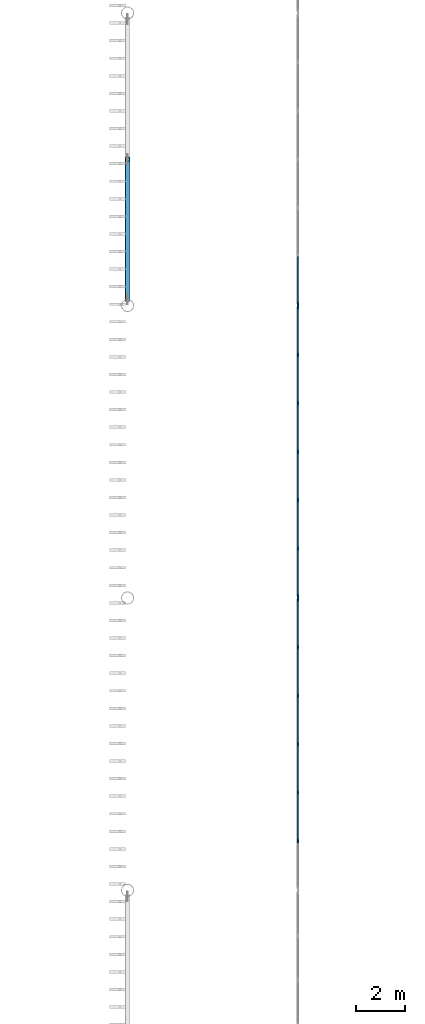
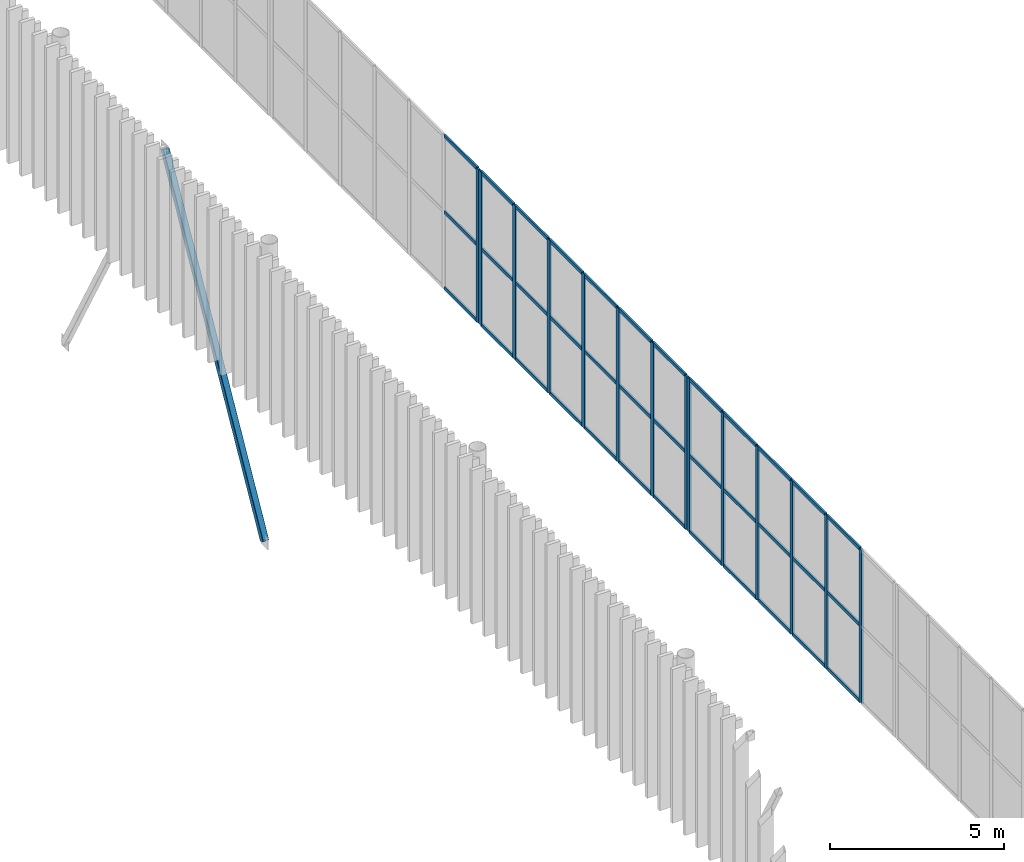
# One storey, part 37 of 170: 51 members, 3 elements without a shape of their own.
"""IFC4 building model written with IfcOpenShell, lengths in metres."""

from ifc_helpers import new_model, si_unit, direction, frame, origin, origin_2d, place, context, subcontext, project, spatial, rectangle, hollow_rectangle, extrude, material, layer, layer_set, material_profile, profile_set, type_object, element, aggregate, save


model = new_model("IFC4")

# Units and contexts
model_context = context("Model", 3, precision=1e-05, world=origin(), true_north=direction((0.0, 1.0)))
body_context = subcontext(model_context, "Body", "Model", "MODEL_VIEW")
ifc_project = project(units=[si_unit("LENGTHUNIT", "METRE"), si_unit("AREAUNIT", "SQUARE_METRE"), si_unit("VOLUMEUNIT", "CUBIC_METRE"), si_unit("PLANEANGLEUNIT", "RADIAN"), si_unit("MASSUNIT", "GRAM", prefix="KILO")], contexts=[model_context])

# Site, building, storey
site_placement = place(None, origin())
site = spatial("IfcSite", under=ifc_project, at=site_placement, CompositionType="ELEMENT")
building_placement = place(site_placement, origin())
building = spatial("IfcBuilding", under=site, at=building_placement, Name="Ravi Spectrum Wholesale Market", CompositionType="ELEMENT")
storey_placement = place(building_placement, frame((0.0, 0.0, 5.39990234375)))
storey = spatial("IfcBuildingStorey", under=building, at=storey_placement, Name="L01", CompositionType="ELEMENT", Elevation=5.39990234375)

# Curtain wall, members
ifc_material_1 = material(Name="Aluminium 6063-T6", Category="aluminium")
ifc_layer = layer(ifc_material_1, 0.14990234375)
ifc_layer_set = layer_set([ifc_layer], Name="Aluminium 6063-T6")
curtain_wall_type = type_object("IfcCurtainWallType", Name="Curtain wall 150", PredefinedType="NOTDEFINED", material=ifc_layer_set)
curtain_wall_1_placement = place(storey_placement, origin())
curtain_wall_1 = element("IfcCurtainWall", 1, at=curtain_wall_1_placement, inside=storey, type_object=curtain_wall_type, Name="H1-CW-L01-002", PredefinedType="NOTDEFINED")
ifc_material_2 = material(Name="Aluminium 6063-T6", Category="aluminium")
ifc_material_profile_1 = material_profile(ifc_material_2, rectangle(XDim=0.06005859375, YDim=0.159912109375, at=origin_2d()))
ifc_profile_set_1 = profile_set([ifc_material_profile_1], Name="Aluminium 6063-T6")
member_type_1 = type_object("IfcMemberType", Name="Mullion 60 x 160", PredefinedType="MULLION", material=ifc_profile_set_1)
member_1_placement = place(storey_placement, frame((37.0, 44.026611328125, 0.0), z_axis=(0.0, 0.0, 1.0), x_axis=(-1.0, 0.0, 0.0)))
member_1 = element("IfcMember", 2, at=member_1_placement, type_object=member_type_1, Name="H1-CW-L01-002 mullion 2", PredefinedType="MULLION", context=body_context, shape_type="SweptSolid", body=[
    extrude(rectangle(XDim=0.06005859375, YDim=0.159912109375, at=origin_2d()), origin(), (0.0, 0.0, 1.0), 5.400146484375),
])
member_2_placement = place(storey_placement, frame((37.0, 46.013427734375, 0.0), z_axis=(0.0, 0.0, 1.0), x_axis=(-1.0, 0.0, 0.0)))
member_2 = element("IfcMember", 3, at=member_2_placement, type_object=member_type_1, Name="H1-CW-L01-002 mullion 3", PredefinedType="MULLION", context=body_context, shape_type="SweptSolid", body=[
    extrude(rectangle(XDim=0.06005859375, YDim=0.159912109375, at=origin_2d()), origin(), (0.0, 0.0, 1.0), 5.400146484375),
])
member_3_placement = place(storey_placement, frame((37.0, 48.0, 0.0), z_axis=(0.0, 0.0, 1.0), x_axis=(-1.0, 0.0, 0.0)))
member_3 = element("IfcMember", 4, at=member_3_placement, type_object=member_type_1, Name="H1-CW-L01-002 mullion 4", PredefinedType="MULLION", context=body_context, shape_type="SweptSolid", body=[
    extrude(rectangle(XDim=0.06005859375, YDim=0.159912109375, at=origin_2d()), origin(), (0.0, 0.0, 1.0), 5.400146484375),
])
member_4_placement = place(storey_placement, frame((37.0, 49.986572265625, 0.0), z_axis=(0.0, 0.0, 1.0), x_axis=(-1.0, 0.0, 0.0)))
member_4 = element("IfcMember", 5, at=member_4_placement, type_object=member_type_1, Name="H1-CW-L01-002 mullion 5", PredefinedType="MULLION", context=body_context, shape_type="SweptSolid", body=[
    extrude(rectangle(XDim=0.06005859375, YDim=0.159912109375, at=origin_2d()), origin(), (0.0, 0.0, 1.0), 5.400146484375),
])
member_5_placement = place(storey_placement, frame((37.0, 51.973388671875, 0.0), z_axis=(0.0, 0.0, 1.0), x_axis=(-1.0, 0.0, 0.0)))
member_5 = element("IfcMember", 6, at=member_5_placement, type_object=member_type_1, Name="H1-CW-L01-002 mullion 6", PredefinedType="MULLION", context=body_context, shape_type="SweptSolid", body=[
    extrude(rectangle(XDim=0.06005859375, YDim=0.159912109375, at=origin_2d()), origin(), (0.0, 0.0, 1.0), 5.400146484375),
])
member_6_placement = place(storey_placement, frame((37.0, 53.929931640625, 0.0), z_axis=(0.0, 0.0, 1.0), x_axis=(-1.0, 0.0, 0.0)))
member_6 = element("IfcMember", 7, at=member_6_placement, type_object=member_type_1, Name="H1-CW-L01-002 mullion 7", PredefinedType="MULLION", context=body_context, shape_type="SweptSolid", body=[
    extrude(rectangle(XDim=0.06005859375, YDim=0.159912109375, at=origin_2d()), origin(), (0.0, 0.0, 1.0), 5.400146484375),
])

curtain_wall_2_placement = place(storey_placement, origin())
curtain_wall_2 = element("IfcCurtainWall", 8, at=curtain_wall_2_placement, inside=storey, type_object=curtain_wall_type, Name="H1-CW-L01-003", PredefinedType="NOTDEFINED")
member_7_placement = place(storey_placement, frame((37.0, 54.070068359375, 0.0), z_axis=(0.0, 0.0, 1.0), x_axis=(-1.0, 0.0, 0.0)))
member_7 = element("IfcMember", 9, at=member_7_placement, type_object=member_type_1, Name="H1-CW-L01-003 mullion 1", PredefinedType="MULLION", context=body_context, shape_type="SweptSolid", body=[
    extrude(rectangle(XDim=0.06005859375, YDim=0.159912109375, at=origin_2d()), origin(), (0.0, 0.0, 1.0), 5.400146484375),
])
member_8_placement = place(storey_placement, frame((37.0, 56.026611328125, 0.0), z_axis=(0.0, 0.0, 1.0), x_axis=(-1.0, 0.0, 0.0)))
member_8 = element("IfcMember", 10, at=member_8_placement, type_object=member_type_1, Name="H1-CW-L01-003 mullion 2", PredefinedType="MULLION", context=body_context, shape_type="SweptSolid", body=[
    extrude(rectangle(XDim=0.06005859375, YDim=0.159912109375, at=origin_2d()), origin(), (0.0, 0.0, 1.0), 5.400146484375),
])
member_9_placement = place(storey_placement, frame((37.0, 58.013427734375, 0.0), z_axis=(0.0, 0.0, 1.0), x_axis=(-1.0, 0.0, 0.0)))
member_9 = element("IfcMember", 11, at=member_9_placement, type_object=member_type_1, Name="H1-CW-L01-003 mullion 3", PredefinedType="MULLION", context=body_context, shape_type="SweptSolid", body=[
    extrude(rectangle(XDim=0.06005859375, YDim=0.159912109375, at=origin_2d()), origin(), (0.0, 0.0, 1.0), 5.400146484375),
])
member_10_placement = place(storey_placement, frame((37.0, 60.0, 0.0), z_axis=(0.0, 0.0, 1.0), x_axis=(-1.0, 0.0, 0.0)))
member_10 = element("IfcMember", 12, at=member_10_placement, type_object=member_type_1, Name="H1-CW-L01-003 mullion 4", PredefinedType="MULLION", context=body_context, shape_type="SweptSolid", body=[
    extrude(rectangle(XDim=0.06005859375, YDim=0.159912109375, at=origin_2d()), origin(), (0.0, 0.0, 1.0), 5.400146484375),
])
member_11_placement = place(storey_placement, frame((37.0, 61.986572265625, 0.0), z_axis=(0.0, 0.0, 1.0), x_axis=(-1.0, 0.0, 0.0)))
member_11 = element("IfcMember", 13, at=member_11_placement, type_object=member_type_1, Name="H1-CW-L01-003 mullion 5", PredefinedType="MULLION", context=body_context, shape_type="SweptSolid", body=[
    extrude(rectangle(XDim=0.06005859375, YDim=0.159912109375, at=origin_2d()), origin(), (0.0, 0.0, 1.0), 5.400146484375),
])
member_12_placement = place(storey_placement, frame((37.0, 63.973388671875, 0.0), z_axis=(0.0, 0.0, 1.0), x_axis=(-1.0, 0.0, 0.0)))
member_12 = element("IfcMember", 14, at=member_12_placement, type_object=member_type_1, Name="H1-CW-L01-003 mullion 6", PredefinedType="MULLION", context=body_context, shape_type="SweptSolid", body=[
    extrude(rectangle(XDim=0.06005859375, YDim=0.159912109375, at=origin_2d()), origin(), (0.0, 0.0, 1.0), 5.400146484375),
])
member_13_placement = place(storey_placement, frame((37.0, 65.929931640625, 0.0), z_axis=(0.0, 0.0, 1.0), x_axis=(-1.0, 0.0, 0.0)))
member_13 = element("IfcMember", 15, at=member_13_placement, type_object=member_type_1, Name="H1-CW-L01-003 mullion 7", PredefinedType="MULLION", context=body_context, shape_type="SweptSolid", body=[
    extrude(rectangle(XDim=0.06005859375, YDim=0.159912109375, at=origin_2d()), origin(), (0.0, 0.0, 1.0), 5.400146484375),
])

# Curtain wall, member
curtain_wall_3_placement = place(storey_placement, origin())
curtain_wall_3 = element("IfcCurtainWall", 16, at=curtain_wall_3_placement, inside=storey, type_object=curtain_wall_type, Name="H1-CW-L01-004", PredefinedType="NOTDEFINED")
member_14_placement = place(storey_placement, frame((37.0, 66.070068359375, 0.0), z_axis=(0.0, 0.0, 1.0), x_axis=(-1.0, 0.0, 0.0)))
member_14 = element("IfcMember", 17, at=member_14_placement, type_object=member_type_1, Name="H1-CW-L01-004 mullion 1", PredefinedType="MULLION", context=body_context, shape_type="SweptSolid", body=[
    extrude(rectangle(XDim=0.06005859375, YDim=0.159912109375, at=origin_2d()), origin(), (0.0, 0.0, 1.0), 5.400146484375),
])

# Member
ifc_material_3 = material(Name="Steel S355", Category="steel")
ifc_material_profile_2 = material_profile(ifc_material_3, hollow_rectangle(XDim=0.199951171875, YDim=0.199951171875, WallThickness=0.008056640625, InnerFilletRadius=0.008056640625, OuterFilletRadius=0.01611328125, at=origin_2d()))
ifc_profile_set_2 = profile_set([ifc_material_profile_2], Name="Steel S355")
member_type_2 = type_object("IfcMemberType", Name="SHS 200x200x8 brace", PredefinedType="BRACE", material=ifc_profile_set_2)
member_15_placement = place(storey_placement, frame((30.0, 66.25390625, -5.350830078125), z_axis=(0.0, 0.487151805571, 0.873317306784), x_axis=(-1.0, 0.0, 0.0)))
element("IfcMember", 18, at=member_15_placement, inside=storey, type_object=member_type_2, Name="H1-MB-L01-003", PredefinedType="BRACE", context=body_context, shape_type="SweptSolid", body=[
    extrude(hollow_rectangle(XDim=0.199951171875, YDim=0.199951171875, WallThickness=0.008056640625, InnerFilletRadius=0.008056640625, OuterFilletRadius=0.01611328125, at=origin_2d()), origin(), (0.0, 0.0, 1.0), 11.795166015625),
])

ifc_material_4 = material(Name="Aluminium 6063-T6", Category="aluminium")
ifc_material_profile_3 = material_profile(ifc_material_4, rectangle(XDim=0.06005859375, YDim=0.1201171875, at=origin_2d()))
ifc_profile_set_3 = profile_set([ifc_material_profile_3], Name="Aluminium 6063-T6")
member_type_3 = type_object("IfcMemberType", Name="Transom 60 x 120", PredefinedType="USERDEFINED", material=ifc_profile_set_3)
member_16_placement = place(storey_placement, frame((37.0, 44.056640625, 0.030029296875), z_axis=(0.0, 1.0, 0.0), x_axis=(-1.0, 0.0, 0.0)))
member_16 = element("IfcMember", 19, at=member_16_placement, type_object=member_type_3, Name="H1-CW-L01-002 transom 2.1", ObjectType="TRANSOM", PredefinedType="USERDEFINED", context=body_context, shape_type="SweptSolid", body=[
    extrude(rectangle(XDim=0.06005859375, YDim=0.1201171875, at=origin_2d()), origin(), (0.0, 0.0, 1.0), 1.9267578125),
])

member_17_placement = place(storey_placement, frame((37.0, 44.056640625, 2.7001953125), z_axis=(0.0, 1.0, 0.0), x_axis=(-1.0, 0.0, 0.0)))
member_17 = element("IfcMember", 20, at=member_17_placement, type_object=member_type_3, Name="H1-CW-L01-002 transom 2.2", ObjectType="TRANSOM", PredefinedType="USERDEFINED", context=body_context, shape_type="SweptSolid", body=[
    extrude(rectangle(XDim=0.06005859375, YDim=0.1201171875, at=origin_2d()), origin(), (0.0, 0.0, 1.0), 1.9267578125),
])

member_18_placement = place(storey_placement, frame((37.0, 44.056640625, 5.3701171875), z_axis=(0.0, 1.0, 0.0), x_axis=(-1.0, 0.0, 0.0)))
member_18 = element("IfcMember", 21, at=member_18_placement, type_object=member_type_3, Name="H1-CW-L01-002 transom 2.3", ObjectType="TRANSOM", PredefinedType="USERDEFINED", context=body_context, shape_type="SweptSolid", body=[
    extrude(rectangle(XDim=0.06005859375, YDim=0.1201171875, at=origin_2d()), origin(), (0.0, 0.0, 1.0), 1.9267578125),
])

member_19_placement = place(storey_placement, frame((37.0, 46.043212890625, 0.030029296875), z_axis=(0.0, 1.0, 0.0), x_axis=(-1.0, 0.0, 0.0)))
member_19 = element("IfcMember", 22, at=member_19_placement, type_object=member_type_3, Name="H1-CW-L01-002 transom 3.1", ObjectType="TRANSOM", PredefinedType="USERDEFINED", context=body_context, shape_type="SweptSolid", body=[
    extrude(rectangle(XDim=0.06005859375, YDim=0.1201171875, at=origin_2d()), origin(), (0.0, 0.0, 1.0), 1.9267578125),
])

member_20_placement = place(storey_placement, frame((37.0, 46.043212890625, 2.7001953125), z_axis=(0.0, 1.0, 0.0), x_axis=(-1.0, 0.0, 0.0)))
member_20 = element("IfcMember", 23, at=member_20_placement, type_object=member_type_3, Name="H1-CW-L01-002 transom 3.2", ObjectType="TRANSOM", PredefinedType="USERDEFINED", context=body_context, shape_type="SweptSolid", body=[
    extrude(rectangle(XDim=0.06005859375, YDim=0.1201171875, at=origin_2d()), origin(), (0.0, 0.0, 1.0), 1.9267578125),
])

member_21_placement = place(storey_placement, frame((37.0, 46.043212890625, 5.3701171875), z_axis=(0.0, 1.0, 0.0), x_axis=(-1.0, 0.0, 0.0)))
member_21 = element("IfcMember", 24, at=member_21_placement, type_object=member_type_3, Name="H1-CW-L01-002 transom 3.3", ObjectType="TRANSOM", PredefinedType="USERDEFINED", context=body_context, shape_type="SweptSolid", body=[
    extrude(rectangle(XDim=0.06005859375, YDim=0.1201171875, at=origin_2d()), origin(), (0.0, 0.0, 1.0), 1.9267578125),
])

member_22_placement = place(storey_placement, frame((37.0, 48.030029296875, 0.030029296875), z_axis=(0.0, 1.0, 0.0), x_axis=(-1.0, 0.0, 0.0)))
member_22 = element("IfcMember", 25, at=member_22_placement, type_object=member_type_3, Name="H1-CW-L01-002 transom 4.1", ObjectType="TRANSOM", PredefinedType="USERDEFINED", context=body_context, shape_type="SweptSolid", body=[
    extrude(rectangle(XDim=0.06005859375, YDim=0.1201171875, at=origin_2d()), origin(), (0.0, 0.0, 1.0), 1.9267578125),
])

member_23_placement = place(storey_placement, frame((37.0, 48.030029296875, 2.7001953125), z_axis=(0.0, 1.0, 0.0), x_axis=(-1.0, 0.0, 0.0)))
member_23 = element("IfcMember", 26, at=member_23_placement, type_object=member_type_3, Name="H1-CW-L01-002 transom 4.2", ObjectType="TRANSOM", PredefinedType="USERDEFINED", context=body_context, shape_type="SweptSolid", body=[
    extrude(rectangle(XDim=0.06005859375, YDim=0.1201171875, at=origin_2d()), origin(), (0.0, 0.0, 1.0), 1.9267578125),
])

member_24_placement = place(storey_placement, frame((37.0, 48.030029296875, 5.3701171875), z_axis=(0.0, 1.0, 0.0), x_axis=(-1.0, 0.0, 0.0)))
member_24 = element("IfcMember", 27, at=member_24_placement, type_object=member_type_3, Name="H1-CW-L01-002 transom 4.3", ObjectType="TRANSOM", PredefinedType="USERDEFINED", context=body_context, shape_type="SweptSolid", body=[
    extrude(rectangle(XDim=0.06005859375, YDim=0.1201171875, at=origin_2d()), origin(), (0.0, 0.0, 1.0), 1.9267578125),
])

member_25_placement = place(storey_placement, frame((37.0, 50.0166015625, 0.030029296875), z_axis=(0.0, 1.0, 0.0), x_axis=(-1.0, 0.0, 0.0)))
member_25 = element("IfcMember", 28, at=member_25_placement, type_object=member_type_3, Name="H1-CW-L01-002 transom 5.1", ObjectType="TRANSOM", PredefinedType="USERDEFINED", context=body_context, shape_type="SweptSolid", body=[
    extrude(rectangle(XDim=0.06005859375, YDim=0.1201171875, at=origin_2d()), origin(), (0.0, 0.0, 1.0), 1.9267578125),
])

member_26_placement = place(storey_placement, frame((37.0, 50.0166015625, 2.7001953125), z_axis=(0.0, 1.0, 0.0), x_axis=(-1.0, 0.0, 0.0)))
member_26 = element("IfcMember", 29, at=member_26_placement, type_object=member_type_3, Name="H1-CW-L01-002 transom 5.2", ObjectType="TRANSOM", PredefinedType="USERDEFINED", context=body_context, shape_type="SweptSolid", body=[
    extrude(rectangle(XDim=0.06005859375, YDim=0.1201171875, at=origin_2d()), origin(), (0.0, 0.0, 1.0), 1.9267578125),
])

member_27_placement = place(storey_placement, frame((37.0, 50.0166015625, 5.3701171875), z_axis=(0.0, 1.0, 0.0), x_axis=(-1.0, 0.0, 0.0)))
member_27 = element("IfcMember", 30, at=member_27_placement, type_object=member_type_3, Name="H1-CW-L01-002 transom 5.3", ObjectType="TRANSOM", PredefinedType="USERDEFINED", context=body_context, shape_type="SweptSolid", body=[
    extrude(rectangle(XDim=0.06005859375, YDim=0.1201171875, at=origin_2d()), origin(), (0.0, 0.0, 1.0), 1.9267578125),
])

member_28_placement = place(storey_placement, frame((37.0, 52.00341796875, 0.030029296875), z_axis=(0.0, 1.0, 0.0), x_axis=(-1.0, 0.0, 0.0)))
member_28 = element("IfcMember", 31, at=member_28_placement, type_object=member_type_3, Name="H1-CW-L01-002 transom 6.1", ObjectType="TRANSOM", PredefinedType="USERDEFINED", context=body_context, shape_type="SweptSolid", body=[
    extrude(rectangle(XDim=0.06005859375, YDim=0.1201171875, at=origin_2d()), origin(), (0.0, 0.0, 1.0), 1.896484375),
])

member_29_placement = place(storey_placement, frame((37.0, 52.00341796875, 2.7001953125), z_axis=(0.0, 1.0, 0.0), x_axis=(-1.0, 0.0, 0.0)))
member_29 = element("IfcMember", 32, at=member_29_placement, type_object=member_type_3, Name="H1-CW-L01-002 transom 6.2", ObjectType="TRANSOM", PredefinedType="USERDEFINED", context=body_context, shape_type="SweptSolid", body=[
    extrude(rectangle(XDim=0.06005859375, YDim=0.1201171875, at=origin_2d()), origin(), (0.0, 0.0, 1.0), 1.896484375),
])

member_30_placement = place(storey_placement, frame((37.0, 52.00341796875, 5.3701171875), z_axis=(0.0, 1.0, 0.0), x_axis=(-1.0, 0.0, 0.0)))
member_30 = element("IfcMember", 33, at=member_30_placement, type_object=member_type_3, Name="H1-CW-L01-002 transom 6.3", ObjectType="TRANSOM", PredefinedType="USERDEFINED", context=body_context, shape_type="SweptSolid", body=[
    extrude(rectangle(XDim=0.06005859375, YDim=0.1201171875, at=origin_2d()), origin(), (0.0, 0.0, 1.0), 1.896484375),
])

aggregate(curtain_wall_1, [member_1, member_2, member_3, member_4, member_5, member_6, member_16, member_17, member_18, member_19, member_20, member_21, member_22, member_23, member_24, member_25, member_26, member_27, member_28, member_29, member_30])

member_31_placement = place(storey_placement, frame((37.0, 54.10009765625, 0.030029296875), z_axis=(0.0, 1.0, 0.0), x_axis=(-1.0, 0.0, 0.0)))
member_31 = element("IfcMember", 34, at=member_31_placement, type_object=member_type_3, Name="H1-CW-L01-003 transom 1.1", ObjectType="TRANSOM", PredefinedType="USERDEFINED", context=body_context, shape_type="SweptSolid", body=[
    extrude(rectangle(XDim=0.06005859375, YDim=0.1201171875, at=origin_2d()), origin(), (0.0, 0.0, 1.0), 1.896484375),
])

member_32_placement = place(storey_placement, frame((37.0, 54.10009765625, 2.7001953125), z_axis=(0.0, 1.0, 0.0), x_axis=(-1.0, 0.0, 0.0)))
member_32 = element("IfcMember", 35, at=member_32_placement, type_object=member_type_3, Name="H1-CW-L01-003 transom 1.2", ObjectType="TRANSOM", PredefinedType="USERDEFINED", context=body_context, shape_type="SweptSolid", body=[
    extrude(rectangle(XDim=0.06005859375, YDim=0.1201171875, at=origin_2d()), origin(), (0.0, 0.0, 1.0), 1.896484375),
])

member_33_placement = place(storey_placement, frame((37.0, 54.10009765625, 5.3701171875), z_axis=(0.0, 1.0, 0.0), x_axis=(-1.0, 0.0, 0.0)))
member_33 = element("IfcMember", 36, at=member_33_placement, type_object=member_type_3, Name="H1-CW-L01-003 transom 1.3", ObjectType="TRANSOM", PredefinedType="USERDEFINED", context=body_context, shape_type="SweptSolid", body=[
    extrude(rectangle(XDim=0.06005859375, YDim=0.1201171875, at=origin_2d()), origin(), (0.0, 0.0, 1.0), 1.896484375),
])

member_34_placement = place(storey_placement, frame((37.0, 56.056640625, 0.030029296875), z_axis=(0.0, 1.0, 0.0), x_axis=(-1.0, 0.0, 0.0)))
member_34 = element("IfcMember", 37, at=member_34_placement, type_object=member_type_3, Name="H1-CW-L01-003 transom 2.1", ObjectType="TRANSOM", PredefinedType="USERDEFINED", context=body_context, shape_type="SweptSolid", body=[
    extrude(rectangle(XDim=0.06005859375, YDim=0.1201171875, at=origin_2d()), origin(), (0.0, 0.0, 1.0), 1.9267578125),
])

member_35_placement = place(storey_placement, frame((37.0, 56.056640625, 2.7001953125), z_axis=(0.0, 1.0, 0.0), x_axis=(-1.0, 0.0, 0.0)))
member_35 = element("IfcMember", 38, at=member_35_placement, type_object=member_type_3, Name="H1-CW-L01-003 transom 2.2", ObjectType="TRANSOM", PredefinedType="USERDEFINED", context=body_context, shape_type="SweptSolid", body=[
    extrude(rectangle(XDim=0.06005859375, YDim=0.1201171875, at=origin_2d()), origin(), (0.0, 0.0, 1.0), 1.9267578125),
])

member_36_placement = place(storey_placement, frame((37.0, 56.056640625, 5.3701171875), z_axis=(0.0, 1.0, 0.0), x_axis=(-1.0, 0.0, 0.0)))
member_36 = element("IfcMember", 39, at=member_36_placement, type_object=member_type_3, Name="H1-CW-L01-003 transom 2.3", ObjectType="TRANSOM", PredefinedType="USERDEFINED", context=body_context, shape_type="SweptSolid", body=[
    extrude(rectangle(XDim=0.06005859375, YDim=0.1201171875, at=origin_2d()), origin(), (0.0, 0.0, 1.0), 1.9267578125),
])

member_37_placement = place(storey_placement, frame((37.0, 58.043212890625, 0.030029296875), z_axis=(0.0, 1.0, 0.0), x_axis=(-1.0, 0.0, 0.0)))
member_37 = element("IfcMember", 40, at=member_37_placement, type_object=member_type_3, Name="H1-CW-L01-003 transom 3.1", ObjectType="TRANSOM", PredefinedType="USERDEFINED", context=body_context, shape_type="SweptSolid", body=[
    extrude(rectangle(XDim=0.06005859375, YDim=0.1201171875, at=origin_2d()), origin(), (0.0, 0.0, 1.0), 1.9267578125),
])

member_38_placement = place(storey_placement, frame((37.0, 58.043212890625, 2.7001953125), z_axis=(0.0, 1.0, 0.0), x_axis=(-1.0, 0.0, 0.0)))
member_38 = element("IfcMember", 41, at=member_38_placement, type_object=member_type_3, Name="H1-CW-L01-003 transom 3.2", ObjectType="TRANSOM", PredefinedType="USERDEFINED", context=body_context, shape_type="SweptSolid", body=[
    extrude(rectangle(XDim=0.06005859375, YDim=0.1201171875, at=origin_2d()), origin(), (0.0, 0.0, 1.0), 1.9267578125),
])

member_39_placement = place(storey_placement, frame((37.0, 58.043212890625, 5.3701171875), z_axis=(0.0, 1.0, 0.0), x_axis=(-1.0, 0.0, 0.0)))
member_39 = element("IfcMember", 42, at=member_39_placement, type_object=member_type_3, Name="H1-CW-L01-003 transom 3.3", ObjectType="TRANSOM", PredefinedType="USERDEFINED", context=body_context, shape_type="SweptSolid", body=[
    extrude(rectangle(XDim=0.06005859375, YDim=0.1201171875, at=origin_2d()), origin(), (0.0, 0.0, 1.0), 1.9267578125),
])

member_40_placement = place(storey_placement, frame((37.0, 60.030029296875, 0.030029296875), z_axis=(0.0, 1.0, 0.0), x_axis=(-1.0, 0.0, 0.0)))
member_40 = element("IfcMember", 43, at=member_40_placement, type_object=member_type_3, Name="H1-CW-L01-003 transom 4.1", ObjectType="TRANSOM", PredefinedType="USERDEFINED", context=body_context, shape_type="SweptSolid", body=[
    extrude(rectangle(XDim=0.06005859375, YDim=0.1201171875, at=origin_2d()), origin(), (0.0, 0.0, 1.0), 1.9267578125),
])

member_41_placement = place(storey_placement, frame((37.0, 60.030029296875, 2.7001953125), z_axis=(0.0, 1.0, 0.0), x_axis=(-1.0, 0.0, 0.0)))
member_41 = element("IfcMember", 44, at=member_41_placement, type_object=member_type_3, Name="H1-CW-L01-003 transom 4.2", ObjectType="TRANSOM", PredefinedType="USERDEFINED", context=body_context, shape_type="SweptSolid", body=[
    extrude(rectangle(XDim=0.06005859375, YDim=0.1201171875, at=origin_2d()), origin(), (0.0, 0.0, 1.0), 1.9267578125),
])

member_42_placement = place(storey_placement, frame((37.0, 60.030029296875, 5.3701171875), z_axis=(0.0, 1.0, 0.0), x_axis=(-1.0, 0.0, 0.0)))
member_42 = element("IfcMember", 45, at=member_42_placement, type_object=member_type_3, Name="H1-CW-L01-003 transom 4.3", ObjectType="TRANSOM", PredefinedType="USERDEFINED", context=body_context, shape_type="SweptSolid", body=[
    extrude(rectangle(XDim=0.06005859375, YDim=0.1201171875, at=origin_2d()), origin(), (0.0, 0.0, 1.0), 1.9267578125),
])

member_43_placement = place(storey_placement, frame((37.0, 62.0166015625, 0.030029296875), z_axis=(0.0, 1.0, 0.0), x_axis=(-1.0, 0.0, 0.0)))
member_43 = element("IfcMember", 46, at=member_43_placement, type_object=member_type_3, Name="H1-CW-L01-003 transom 5.1", ObjectType="TRANSOM", PredefinedType="USERDEFINED", context=body_context, shape_type="SweptSolid", body=[
    extrude(rectangle(XDim=0.06005859375, YDim=0.1201171875, at=origin_2d()), origin(), (0.0, 0.0, 1.0), 1.9267578125),
])

member_44_placement = place(storey_placement, frame((37.0, 62.0166015625, 2.7001953125), z_axis=(0.0, 1.0, 0.0), x_axis=(-1.0, 0.0, 0.0)))
member_44 = element("IfcMember", 47, at=member_44_placement, type_object=member_type_3, Name="H1-CW-L01-003 transom 5.2", ObjectType="TRANSOM", PredefinedType="USERDEFINED", context=body_context, shape_type="SweptSolid", body=[
    extrude(rectangle(XDim=0.06005859375, YDim=0.1201171875, at=origin_2d()), origin(), (0.0, 0.0, 1.0), 1.9267578125),
])

member_45_placement = place(storey_placement, frame((37.0, 62.0166015625, 5.3701171875), z_axis=(0.0, 1.0, 0.0), x_axis=(-1.0, 0.0, 0.0)))
member_45 = element("IfcMember", 48, at=member_45_placement, type_object=member_type_3, Name="H1-CW-L01-003 transom 5.3", ObjectType="TRANSOM", PredefinedType="USERDEFINED", context=body_context, shape_type="SweptSolid", body=[
    extrude(rectangle(XDim=0.06005859375, YDim=0.1201171875, at=origin_2d()), origin(), (0.0, 0.0, 1.0), 1.9267578125),
])

member_46_placement = place(storey_placement, frame((37.0, 64.00341796875, 0.030029296875), z_axis=(0.0, 1.0, 0.0), x_axis=(-1.0, 0.0, 0.0)))
member_46 = element("IfcMember", 49, at=member_46_placement, type_object=member_type_3, Name="H1-CW-L01-003 transom 6.1", ObjectType="TRANSOM", PredefinedType="USERDEFINED", context=body_context, shape_type="SweptSolid", body=[
    extrude(rectangle(XDim=0.06005859375, YDim=0.1201171875, at=origin_2d()), origin(), (0.0, 0.0, 1.0), 1.896484375),
])

member_47_placement = place(storey_placement, frame((37.0, 64.00341796875, 2.7001953125), z_axis=(0.0, 1.0, 0.0), x_axis=(-1.0, 0.0, 0.0)))
member_47 = element("IfcMember", 50, at=member_47_placement, type_object=member_type_3, Name="H1-CW-L01-003 transom 6.2", ObjectType="TRANSOM", PredefinedType="USERDEFINED", context=body_context, shape_type="SweptSolid", body=[
    extrude(rectangle(XDim=0.06005859375, YDim=0.1201171875, at=origin_2d()), origin(), (0.0, 0.0, 1.0), 1.896484375),
])

member_48_placement = place(storey_placement, frame((37.0, 64.00341796875, 5.3701171875), z_axis=(0.0, 1.0, 0.0), x_axis=(-1.0, 0.0, 0.0)))
member_48 = element("IfcMember", 51, at=member_48_placement, type_object=member_type_3, Name="H1-CW-L01-003 transom 6.3", ObjectType="TRANSOM", PredefinedType="USERDEFINED", context=body_context, shape_type="SweptSolid", body=[
    extrude(rectangle(XDim=0.06005859375, YDim=0.1201171875, at=origin_2d()), origin(), (0.0, 0.0, 1.0), 1.896484375),
])

aggregate(curtain_wall_2, [member_7, member_8, member_9, member_10, member_11, member_12, member_13, member_31, member_32, member_33, member_34, member_35, member_36, member_37, member_38, member_39, member_40, member_41, member_42, member_43, member_44, member_45, member_46, member_47, member_48])

member_49_placement = place(storey_placement, frame((37.0, 66.10009765625, 0.030029296875), z_axis=(0.0, 1.0, 0.0), x_axis=(-1.0, 0.0, 0.0)))
member_49 = element("IfcMember", 52, at=member_49_placement, type_object=member_type_3, Name="H1-CW-L01-004 transom 1.1", ObjectType="TRANSOM", PredefinedType="USERDEFINED", context=body_context, shape_type="SweptSolid", body=[
    extrude(rectangle(XDim=0.06005859375, YDim=0.1201171875, at=origin_2d()), origin(), (0.0, 0.0, 1.0), 1.896484375),
])

member_50_placement = place(storey_placement, frame((37.0, 66.10009765625, 2.7001953125), z_axis=(0.0, 1.0, 0.0), x_axis=(-1.0, 0.0, 0.0)))
member_50 = element("IfcMember", 53, at=member_50_placement, type_object=member_type_3, Name="H1-CW-L01-004 transom 1.2", ObjectType="TRANSOM", PredefinedType="USERDEFINED", context=body_context, shape_type="SweptSolid", body=[
    extrude(rectangle(XDim=0.06005859375, YDim=0.1201171875, at=origin_2d()), origin(), (0.0, 0.0, 1.0), 1.896484375),
])

member_51_placement = place(storey_placement, frame((37.0, 66.10009765625, 5.3701171875), z_axis=(0.0, 1.0, 0.0), x_axis=(-1.0, 0.0, 0.0)))
member_51 = element("IfcMember", 54, at=member_51_placement, type_object=member_type_3, Name="H1-CW-L01-004 transom 1.3", ObjectType="TRANSOM", PredefinedType="USERDEFINED", context=body_context, shape_type="SweptSolid", body=[
    extrude(rectangle(XDim=0.06005859375, YDim=0.1201171875, at=origin_2d()), origin(), (0.0, 0.0, 1.0), 1.896484375),
])

aggregate(curtain_wall_3, [member_14, member_49, member_50, member_51])

save(model, "model.ifc")
